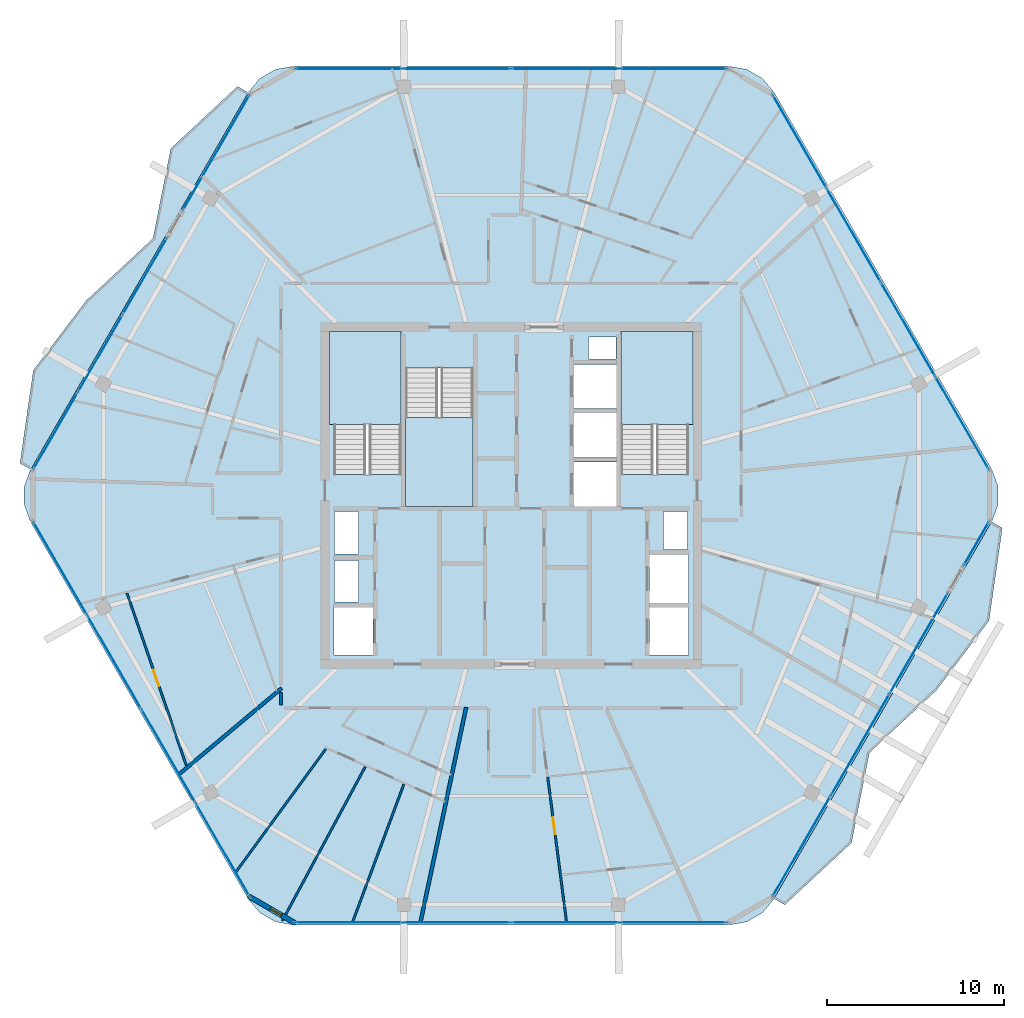
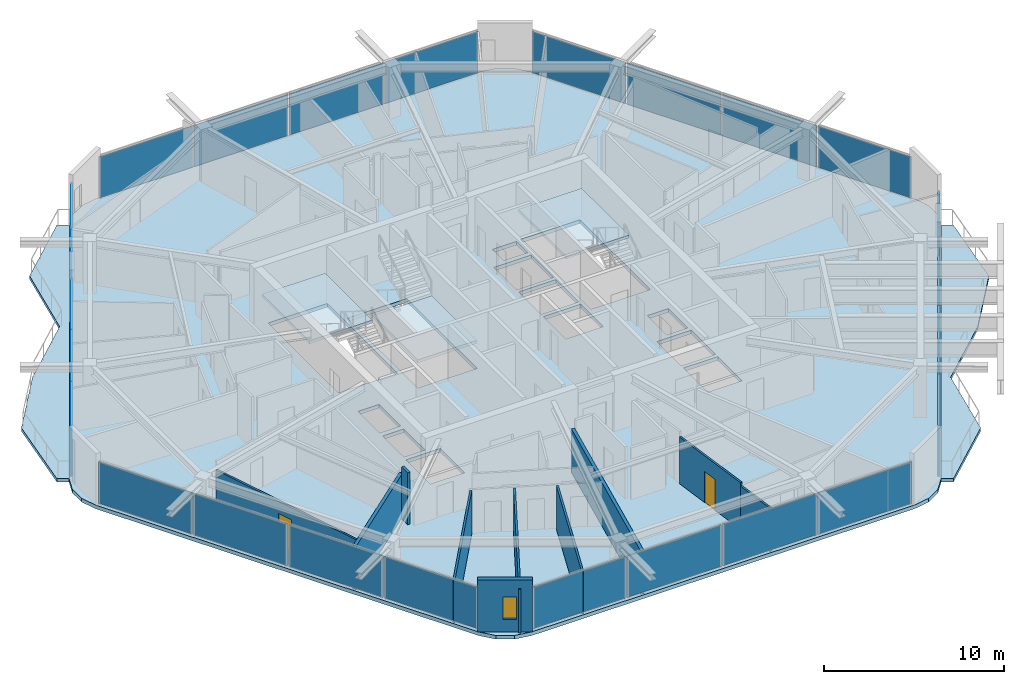
# One storey, part 14 of 23: 24 plates, 10 walls, 6 slabs, 2 doors, 1 window, 3 openings, 11 elements without a shape of their own.
"""IFC4 building model written with IfcOpenShell, lengths in metres."""

from ifc_helpers import new_model, si_unit, direction, frame, frame_2d, origin, origin_2d, place, context, subcontext, project, spatial, polyline, rectangle, outline, extrude, material, layer, layer_set, type_object, element, fill, aggregate, save


model = new_model("IFC4")

# Units and contexts
model_context = context("Model", 3, precision=1e-05, world=origin(), true_north=direction((0.0, 1.0)))
body_context = subcontext(model_context, "Body", "Model", "MODEL_VIEW")
ifc_project = project(units=[si_unit("LENGTHUNIT", "METRE"), si_unit("AREAUNIT", "SQUARE_METRE"), si_unit("VOLUMEUNIT", "CUBIC_METRE"), si_unit("PLANEANGLEUNIT", "RADIAN"), si_unit("MASSUNIT", "GRAM", prefix="KILO")], contexts=[model_context])

# Site, building, storey
site_placement = place(None, origin())
site = spatial("IfcSite", under=ifc_project, at=site_placement, CompositionType="ELEMENT")
building_placement = place(site_placement, origin())
building = spatial("IfcBuilding", under=site, at=building_placement, Name="Zuhravey Tower", CompositionType="ELEMENT")
storey_placement = place(building_placement, frame((0.0, 0.0, 350.0)))
storey = spatial("IfcBuildingStorey", under=building, at=storey_placement, Name="L89", CompositionType="ELEMENT", Elevation=350.0)

# Slabs
ifc_material_1 = material(Name="Concrete C50/60", Category="concrete")
ifc_layer_1 = layer(ifc_material_1, 0.25)
ifc_layer_set_1 = layer_set([ifc_layer_1], Name="Concrete C50/60")
slab_type_1 = type_object("IfcSlabType", Name="Residential Acoustic Slab 250", PredefinedType="FLOOR", material=ifc_layer_set_1)
slab_1_placement = place(storey_placement, frame((0.0, 0.0, -0.25)))
element("IfcSlab", 1, at=slab_1_placement, inside=storey, type_object=slab_type_1, Name="L89 Floor Slab FS25", PredefinedType="FLOOR", context=body_context, shape_type="SweptSolid", body=[
    extrude(outline(polyline([(63.1083984375, 30.52490234375), (63.458740234375, 31.48779296875), (63.458740234375, 32.51220703125), (63.1083984375, 33.47509765625), (50.83154296875, 54.739013671875), (50.173095703125, 55.52392578125), (49.285888671875, 56.0361328125), (48.27685546875, 56.214111328125), (23.72314453125, 56.214111328125), (22.714111328125, 56.0361328125), (21.826904296875, 55.52392578125), (21.16845703125, 54.739013671875), (8.8916015625, 33.47509765625), (8.541259765625, 32.51220703125), (8.541259765625, 31.48779296875), (8.8916015625, 30.52490234375), (21.16845703125, 9.260986328125), (21.826904296875, 8.47607421875), (22.714111328125, 7.9638671875), (23.72314453125, 7.785888671875), (48.27685546875, 7.785888671875), (49.285888671875, 7.9638671875), (50.173095703125, 8.47607421875), (50.83154296875, 9.260986328125), (63.1083984375, 30.52490234375)]), holes=[polyline([(29.800048828125, 33.20068359375), (29.800048828125, 41.0), (26.0, 41.0), (26.0, 33.20068359375), (29.800048828125, 33.20068359375)]), polyline([(46.0, 33.20068359375), (46.0, 41.0), (42.199951171875, 41.0), (42.199951171875, 33.20068359375), (46.0, 33.20068359375)]), polyline([(30.050048828125, 39.199462890625), (30.050048828125, 31.39990234375), (33.85009765625, 31.39990234375), (33.85009765625, 39.199462890625), (30.050048828125, 39.199462890625)]), polyline([(39.550048828125, 31.39990234375), (41.949951171875, 31.39990234375), (41.949951171875, 33.89990234375), (39.550048828125, 33.89990234375), (39.550048828125, 31.39990234375)]), polyline([(39.550048828125, 34.14990234375), (41.949951171875, 34.14990234375), (41.949951171875, 36.64990234375), (39.550048828125, 36.64990234375), (39.550048828125, 34.14990234375)]), polyline([(39.550048828125, 36.89990234375), (41.949951171875, 36.89990234375), (41.949951171875, 39.39990234375), (39.550048828125, 39.39990234375), (39.550048828125, 36.89990234375)]), polyline([(26.0, 23.0), (28.199951171875, 23.0), (28.199951171875, 25.699951171875), (26.0, 25.699951171875), (26.0, 23.0)]), polyline([(43.800048828125, 23.0), (46.0, 23.0), (46.0, 25.699951171875), (43.800048828125, 25.699951171875), (43.800048828125, 23.0)]), polyline([(43.800048828125, 25.949951171875), (46.0, 25.949951171875), (46.0, 28.64990234375), (43.800048828125, 28.64990234375), (43.800048828125, 25.949951171875)]), polyline([(26.050048828125, 26.0), (27.39990234375, 26.0), (27.39990234375, 28.35009765625), (26.050048828125, 28.35009765625), (26.050048828125, 26.0)]), polyline([(26.050048828125, 28.699951171875), (27.39990234375, 28.699951171875), (27.39990234375, 31.10009765625), (26.050048828125, 31.10009765625), (26.050048828125, 28.699951171875)]), polyline([(44.60009765625, 28.949951171875), (45.949951171875, 28.949951171875), (45.949951171875, 31.10009765625), (44.60009765625, 31.10009765625), (44.60009765625, 28.949951171875)]), polyline([(40.35009765625, 39.699951171875), (41.89990234375, 39.699951171875), (41.89990234375, 40.949951171875), (40.35009765625, 40.949951171875), (40.35009765625, 39.699951171875)])]), origin(), (0.0, 0.0, 1.0), 0.25),
])
ifc_material_2 = material(Name="Concrete C40/50", Category="concrete")
ifc_layer_2 = layer(ifc_material_2, 0.219970703125)
ifc_layer_set_2 = layer_set([ifc_layer_2], Name="Concrete C40/50")
slab_type_2 = type_object("IfcSlabType", Name="Sinusoidal Residential Wave Balcony 220", PredefinedType="FLOOR", material=ifc_layer_set_2)
slab_2_placement = place(storey_placement, frame((0.0, 0.0, -0.219970703125)))
element("IfcSlab", 2, at=slab_2_placement, inside=storey, type_object=slab_type_2, Name="L89 Face 6 Wave Balcony WB22", PredefinedType="FLOOR", context=body_context, shape_type="SweptSolid", body=[
    extrude(outline(polyline([(50.822998046875, 9.27587890625), (63.091064453125, 30.52490234375), (63.697265625, 30.175048828125), (62.947021484375, 24.94189453125), (59.959228515625, 21.00048828125), (56.200439453125, 17.50390625), (55.19140625, 12.420166015625), (51.42919921875, 8.92578125), (50.822998046875, 9.27587890625)])), origin(), (0.0, 0.0, 1.0), 0.219970703125),
])
slab_3_placement = place(storey_placement, frame((0.0, 0.0, -0.219970703125)))
element("IfcSlab", 3, at=slab_3_placement, inside=storey, type_object=slab_type_2, Name="L89 Face 3 Wave Balcony WB22", PredefinedType="FLOOR", context=body_context, shape_type="SweptSolid", body=[
    extrude(outline(polyline([(21.177001953125, 54.72412109375), (8.908935546875, 33.47509765625), (8.302734375, 33.824951171875), (9.052978515625, 39.05810546875), (12.040771484375, 42.99951171875), (15.799560546875, 46.49609375), (16.80859375, 51.579833984375), (20.57080078125, 55.07421875), (21.177001953125, 54.72412109375)])), origin(), (0.0, 0.0, 1.0), 0.219970703125),
])

# Stair, slab
stair_type = type_object("IfcStairType", Name="Housing Storey Stair Assembly 3800", PredefinedType="HALF_TURN_STAIR", material=ifc_material_2)
stair_1_placement = place(storey_placement, origin())
stair_1 = element("IfcStair", 4, at=stair_1_placement, inside=storey, type_object=stair_type, Name="L89 Core Exit Stair ST1", PredefinedType="HALF_TURN_STAIR")
ifc_layer_3 = layer(ifc_material_2, 0.199951171875)
ifc_layer_set_3 = layer_set([ifc_layer_3], Name="Concrete C40/50")
slab_type_3 = type_object("IfcSlabType", Name="Stair Landing Slab 200", PredefinedType="LANDING", material=ifc_layer_set_3)
slab_4_placement = place(storey_placement, frame((0.0, 0.0, 1.699951171875)))
slab_4 = element("IfcSlab", 5, at=slab_4_placement, type_object=slab_type_3, Name="ST1 landing 1", PredefinedType="LANDING", context=body_context, shape_type="SweptSolid", body=[
    extrude(outline(polyline([(29.800048828125, 36.0), (29.800048828125, 41.248046875), (25.751953125, 41.248046875), (25.751953125, 36.0), (29.800048828125, 36.0)])), origin(), (0.0, 0.0, 1.0), 0.199951171875),
])
aggregate(stair_1, [slab_4])

stair_2_placement = place(storey_placement, origin())
stair_2 = element("IfcStair", 6, at=stair_2_placement, inside=storey, type_object=stair_type, Name="L89 Core Exit Stair ST2", PredefinedType="HALF_TURN_STAIR")
slab_5_placement = place(storey_placement, frame((0.0, 0.0, 1.699951171875)))
slab_5 = element("IfcSlab", 7, at=slab_5_placement, type_object=slab_type_3, Name="ST2 landing 1", PredefinedType="LANDING", context=body_context, shape_type="SweptSolid", body=[
    extrude(outline(polyline([(46.248046875, 36.0), (46.248046875, 41.248046875), (42.199951171875, 41.248046875), (42.199951171875, 36.0), (46.248046875, 36.0)])), origin(), (0.0, 0.0, 1.0), 0.199951171875),
])
aggregate(stair_2, [slab_5])

stair_3_placement = place(storey_placement, origin())
stair_3 = element("IfcStair", 8, at=stair_3_placement, inside=storey, type_object=stair_type, Name="L89 Core Exit Stair ST3", PredefinedType="HALF_TURN_STAIR")
slab_6_placement = place(storey_placement, frame((0.0, 0.0, 1.699951171875)))
slab_6 = element("IfcSlab", 9, at=slab_6_placement, type_object=slab_type_3, Name="ST3 landing 1", PredefinedType="LANDING", context=body_context, shape_type="SweptSolid", body=[
    extrude(outline(polyline([(30.050048828125, 36.39990234375), (30.050048828125, 31.39990234375), (33.85009765625, 31.39990234375), (33.85009765625, 36.39990234375), (30.050048828125, 36.39990234375)])), origin(), (0.0, 0.0, 1.0), 0.199951171875),
])
aggregate(stair_3, [slab_6])

# Curtain wall, plate
ifc_material_3 = material(Name="Thermally broken anodised aluminium", Category="aluminium")
curtain_wall_type = type_object("IfcCurtainWallType", Name="Zone 3-4 High-Rise Curtain Wall CW4", PredefinedType="NOTDEFINED", material=ifc_material_3)
curtain_wall_1_placement = place(storey_placement, origin())
curtain_wall_1 = element("IfcCurtainWall", 10, at=curtain_wall_1_placement, inside=storey, type_object=curtain_wall_type, Name="L89 CW4 CW-L89-F6-1", PredefinedType="NOTDEFINED")
ifc_material_4 = material(Name="Triple low-E insulated vision glass", Category="glass")
ifc_layer_4 = layer(ifc_material_4, 0.0419921875)
ifc_layer_set_4 = layer_set([ifc_layer_4], Name="Triple low-E insulated vision glass")
plate_type = type_object("IfcPlateType", Name="Triple Low-E Vision Panel", PredefinedType="CURTAIN_PANEL", material=ifc_layer_set_4)
plate_1_placement = place(storey_placement, frame((62.233154296875, 29.2890625, 0.08984375), z_axis=(0.0, 0.0, 1.0), x_axis=(-0.499986381419, -0.866033266333, 0.0)))
plate_1 = element("IfcPlate", 11, at=plate_1_placement, type_object=plate_type, Name="CW4 panel 1.1", PredefinedType="CURTAIN_PANEL", context=body_context, shape_type="SweptSolid", body=[
    extrude(rectangle(XDim=2.760986328125, YDim=0.0419921875, at=origin_2d()), origin(), (0.0, 0.0, 1.0), 2.239990234375),
])
aggregate(curtain_wall_1, [plate_1])

# Curtain wall, plates
curtain_wall_2_placement = place(storey_placement, origin())
curtain_wall_2 = element("IfcCurtainWall", 12, at=curtain_wall_2_placement, inside=storey, type_object=curtain_wall_type, Name="L89 CW4 CW-L89-F6-2", PredefinedType="NOTDEFINED")
plate_2_placement = place(storey_placement, frame((58.983642578125, 23.66064453125, 0.08984375), z_axis=(0.0, 0.0, 1.0), x_axis=(-0.500000845941, -0.86602491538, 0.0)))
plate_2 = element("IfcPlate", 13, at=plate_2_placement, type_object=plate_type, Name="CW4 panel 1.1", PredefinedType="CURTAIN_PANEL", context=body_context, shape_type="SweptSolid", body=[
    extrude(rectangle(XDim=6.4775390625, YDim=0.0419921875, at=origin_2d()), origin(), (0.0, 0.0, 1.0), 2.239990234375),
])
plate_3_placement = place(storey_placement, frame((55.6884765625, 17.953369140625, 0.08984375), z_axis=(0.0, 0.0, 1.0), x_axis=(-0.500000845941, -0.86602491538, 0.0)))
plate_3 = element("IfcPlate", 14, at=plate_3_placement, type_object=plate_type, Name="CW4 panel 2.1", PredefinedType="CURTAIN_PANEL", context=body_context, shape_type="SweptSolid", body=[
    extrude(rectangle(XDim=6.522705078125, YDim=0.0419921875, at=origin_2d()), origin(), (0.0, 0.0, 1.0), 2.239990234375),
])
plate_4_placement = place(storey_placement, frame((52.3935546875, 12.246337890625, 0.08984375), z_axis=(0.0, 0.0, 1.0), x_axis=(-0.500000845941, -0.86602491538, 0.0)))
plate_4 = element("IfcPlate", 15, at=plate_4_placement, type_object=plate_type, Name="CW4 panel 3.1", PredefinedType="CURTAIN_PANEL", context=body_context, shape_type="SweptSolid", body=[
    extrude(rectangle(XDim=6.4775390625, YDim=0.0419921875, at=origin_2d()), origin(), (0.0, 0.0, 1.0), 2.239990234375),
])
aggregate(curtain_wall_2, [plate_2, plate_3, plate_4])

curtain_wall_3_placement = place(storey_placement, origin())
curtain_wall_3 = element("IfcCurtainWall", 16, at=curtain_wall_3_placement, inside=storey, type_object=curtain_wall_type, Name="L89 CW4 CW-L89-F5-1", PredefinedType="NOTDEFINED")
plate_5_placement = place(storey_placement, frame((45.156982421875, 7.92578125, 0.08984375), z_axis=(0.0, 0.0, 1.0), x_axis=(-1.0, 0.0, 0.0)))
plate_5 = element("IfcPlate", 17, at=plate_5_placement, type_object=plate_type, Name="CW4 panel 1.1", PredefinedType="CURTAIN_PANEL", context=body_context, shape_type="SweptSolid", body=[
    extrude(rectangle(XDim=5.984619140625, YDim=0.0419921875, at=origin_2d()), origin(), (0.0, 0.0, 1.0), 2.806884765625),
])
plate_6_placement = place(storey_placement, frame((39.059814453125, 7.92578125, 0.08984375), z_axis=(0.0, 0.0, 1.0), x_axis=(-1.0, 0.0, 0.0)))
plate_6 = element("IfcPlate", 18, at=plate_6_placement, type_object=plate_type, Name="CW4 panel 2.1", PredefinedType="CURTAIN_PANEL", context=body_context, shape_type="SweptSolid", body=[
    extrude(rectangle(XDim=6.029541015625, YDim=0.0419921875, at=origin_2d()), origin(), (0.0, 0.0, 1.0), 2.806884765625),
])
plate_7_placement = place(storey_placement, frame((32.940185546875, 7.92578125, 0.08984375), z_axis=(0.0, 0.0, 1.0), x_axis=(-1.0, 0.0, 0.0)))
plate_7 = element("IfcPlate", 19, at=plate_7_placement, type_object=plate_type, Name="CW4 panel 3.1", PredefinedType="CURTAIN_PANEL", context=body_context, shape_type="SweptSolid", body=[
    extrude(rectangle(XDim=6.029541015625, YDim=0.0419921875, at=origin_2d()), origin(), (0.0, 0.0, 1.0), 2.806884765625),
])
plate_8_placement = place(storey_placement, frame((26.843017578125, 7.92578125, 0.08984375), z_axis=(0.0, 0.0, 1.0), x_axis=(-1.0, 0.0, 0.0)))
plate_8 = element("IfcPlate", 20, at=plate_8_placement, type_object=plate_type, Name="CW4 panel 4.1", PredefinedType="CURTAIN_PANEL", context=body_context, shape_type="SweptSolid", body=[
    extrude(rectangle(XDim=5.984619140625, YDim=0.0419921875, at=origin_2d()), origin(), (0.0, 0.0, 1.0), 2.806884765625),
])
aggregate(curtain_wall_3, [plate_5, plate_6, plate_7, plate_8])

curtain_wall_4_placement = place(storey_placement, origin())
curtain_wall_4 = element("IfcCurtainWall", 21, at=curtain_wall_4_placement, inside=storey, type_object=curtain_wall_type, Name="L89 CW4 CW-L89-F4-1", PredefinedType="NOTDEFINED")
plate_9_placement = place(storey_placement, frame((19.729736328125, 12.03271484375, 0.08984375), z_axis=(0.0, 0.0, 1.0), x_axis=(-0.49999981336, 0.866025511541, 0.0)))
plate_9 = element("IfcPlate", 22, at=plate_9_placement, type_object=plate_type, Name="CW4 panel 1.1", PredefinedType="CURTAIN_PANEL", context=body_context, shape_type="SweptSolid", body=[
    extrude(rectangle(XDim=5.984619140625, YDim=0.0419921875, at=origin_2d()), origin(), (0.0, 0.0, 1.0), 2.806884765625),
])
plate_10_placement = place(storey_placement, frame((16.68115234375, 17.31298828125, 0.08984375), z_axis=(0.0, 0.0, 1.0), x_axis=(-0.49999981336, 0.866025511541, 0.0)))
plate_10 = element("IfcPlate", 23, at=plate_10_placement, type_object=plate_type, Name="CW4 panel 2.1", PredefinedType="CURTAIN_PANEL", context=body_context, shape_type="SweptSolid", body=[
    extrude(rectangle(XDim=6.029541015625, YDim=0.0419921875, at=origin_2d()), origin(), (0.0, 0.0, 1.0), 2.806884765625),
])
plate_11_placement = place(storey_placement, frame((13.621337890625, 22.61279296875, 0.08984375), z_axis=(0.0, 0.0, 1.0), x_axis=(-0.49999981336, 0.866025511541, 0.0)))
plate_11 = element("IfcPlate", 24, at=plate_11_placement, type_object=plate_type, Name="CW4 panel 3.1", PredefinedType="CURTAIN_PANEL", context=body_context, shape_type="SweptSolid", body=[
    extrude(rectangle(XDim=6.029541015625, YDim=0.0419921875, at=origin_2d()), origin(), (0.0, 0.0, 1.0), 2.806884765625),
])
plate_12_placement = place(storey_placement, frame((10.57275390625, 27.89306640625, 0.08984375), z_axis=(0.0, 0.0, 1.0), x_axis=(-0.49999981336, 0.866025511541, 0.0)))
plate_12 = element("IfcPlate", 25, at=plate_12_placement, type_object=plate_type, Name="CW4 panel 4.1", PredefinedType="CURTAIN_PANEL", context=body_context, shape_type="SweptSolid", body=[
    extrude(rectangle(XDim=5.984619140625, YDim=0.0419921875, at=origin_2d()), origin(), (0.0, 0.0, 1.0), 2.806884765625),
])
aggregate(curtain_wall_4, [plate_9, plate_10, plate_11, plate_12])

curtain_wall_5_placement = place(storey_placement, origin())
curtain_wall_5 = element("IfcCurtainWall", 26, at=curtain_wall_5_placement, inside=storey, type_object=curtain_wall_type, Name="L89 CW4 CW-L89-F3-1", PredefinedType="NOTDEFINED")
plate_13_placement = place(storey_placement, frame((10.3076171875, 35.647705078125, 0.08984375), z_axis=(0.0, 0.0, 1.0), x_axis=(0.49999830981, 0.866026379614, 0.0)))
plate_13 = element("IfcPlate", 27, at=plate_13_placement, type_object=plate_type, Name="CW4 panel 1.1", PredefinedType="CURTAIN_PANEL", context=body_context, shape_type="SweptSolid", body=[
    extrude(rectangle(XDim=4.924072265625, YDim=0.0419921875, at=origin_2d()), origin(), (0.0, 0.0, 1.0), 2.806884765625),
])
plate_14_placement = place(storey_placement, frame((12.825927734375, 40.009521484375, 0.08984375), z_axis=(0.0, 0.0, 1.0), x_axis=(0.49999830981, 0.866026379614, 0.0)))
plate_14 = element("IfcPlate", 28, at=plate_14_placement, type_object=plate_type, Name="CW4 panel 2.1", PredefinedType="CURTAIN_PANEL", context=body_context, shape_type="SweptSolid", body=[
    extrude(rectangle(XDim=4.968994140625, YDim=0.0419921875, at=origin_2d()), origin(), (0.0, 0.0, 1.0), 2.806884765625),
])
plate_15_placement = place(storey_placement, frame((15.34423828125, 44.371337890625, 0.08984375), z_axis=(0.0, 0.0, 1.0), x_axis=(0.49999830981, 0.866026379614, 0.0)))
plate_15 = element("IfcPlate", 29, at=plate_15_placement, type_object=plate_type, Name="CW4 panel 3.1", PredefinedType="CURTAIN_PANEL", context=body_context, shape_type="SweptSolid", body=[
    extrude(rectangle(XDim=4.924072265625, YDim=0.0419921875, at=origin_2d()), origin(), (0.0, 0.0, 1.0), 2.806884765625),
])
aggregate(curtain_wall_5, [plate_13, plate_14, plate_15])

# Curtain wall, plate
curtain_wall_6_placement = place(storey_placement, origin())
curtain_wall_6 = element("IfcCurtainWall", 30, at=curtain_wall_6_placement, inside=storey, type_object=curtain_wall_type, Name="L89 CW4 CW-L89-F3-2", PredefinedType="NOTDEFINED")
plate_16_placement = place(storey_placement, frame((19.37060546875, 51.34521484375, 0.08984375), z_axis=(0.0, 0.0, 1.0), x_axis=(0.500006010103, 0.866021933822, 0.0)))
plate_16 = element("IfcPlate", 31, at=plate_16_placement, type_object=plate_type, Name="CW4 panel 1.1", PredefinedType="CURTAIN_PANEL", context=body_context, shape_type="SweptSolid", body=[
    extrude(rectangle(XDim=7.42138671875, YDim=0.0419921875, at=origin_2d()), origin(), (0.0, 0.0, 1.0), 2.806884765625),
])
aggregate(curtain_wall_6, [plate_16])

# Curtain wall, plates
curtain_wall_7_placement = place(storey_placement, origin())
curtain_wall_7 = element("IfcCurtainWall", 32, at=curtain_wall_7_placement, inside=storey, type_object=curtain_wall_type, Name="L89 CW4 CW-L89-F2-1", PredefinedType="NOTDEFINED")
plate_17_placement = place(storey_placement, frame((26.843017578125, 56.07421875, 0.08984375), z_axis=(0.0, 0.0, 1.0), x_axis=(1.0, 0.0, 0.0)))
plate_17 = element("IfcPlate", 33, at=plate_17_placement, type_object=plate_type, Name="CW4 panel 1.1", PredefinedType="CURTAIN_PANEL", context=body_context, shape_type="SweptSolid", body=[
    extrude(rectangle(XDim=5.984619140625, YDim=0.0419921875, at=origin_2d()), origin(), (0.0, 0.0, 1.0), 2.806884765625),
])
plate_18_placement = place(storey_placement, frame((32.940185546875, 56.07421875, 0.08984375), z_axis=(0.0, 0.0, 1.0), x_axis=(1.0, 0.0, 0.0)))
plate_18 = element("IfcPlate", 34, at=plate_18_placement, type_object=plate_type, Name="CW4 panel 2.1", PredefinedType="CURTAIN_PANEL", context=body_context, shape_type="SweptSolid", body=[
    extrude(rectangle(XDim=6.029541015625, YDim=0.0419921875, at=origin_2d()), origin(), (0.0, 0.0, 1.0), 2.806884765625),
])
plate_19_placement = place(storey_placement, frame((39.059814453125, 56.07421875, 0.08984375), z_axis=(0.0, 0.0, 1.0), x_axis=(1.0, 0.0, 0.0)))
plate_19 = element("IfcPlate", 35, at=plate_19_placement, type_object=plate_type, Name="CW4 panel 3.1", PredefinedType="CURTAIN_PANEL", context=body_context, shape_type="SweptSolid", body=[
    extrude(rectangle(XDim=6.029541015625, YDim=0.0419921875, at=origin_2d()), origin(), (0.0, 0.0, 1.0), 2.806884765625),
])
plate_20_placement = place(storey_placement, frame((45.156982421875, 56.07421875, 0.08984375), z_axis=(0.0, 0.0, 1.0), x_axis=(1.0, 0.0, 0.0)))
plate_20 = element("IfcPlate", 36, at=plate_20_placement, type_object=plate_type, Name="CW4 panel 4.1", PredefinedType="CURTAIN_PANEL", context=body_context, shape_type="SweptSolid", body=[
    extrude(rectangle(XDim=5.984619140625, YDim=0.0419921875, at=origin_2d()), origin(), (0.0, 0.0, 1.0), 2.806884765625),
])
aggregate(curtain_wall_7, [plate_17, plate_18, plate_19, plate_20])

curtain_wall_8_placement = place(storey_placement, origin())
curtain_wall_8 = element("IfcCurtainWall", 37, at=curtain_wall_8_placement, inside=storey, type_object=curtain_wall_type, Name="L89 CW4 CW-L89-F1-1", PredefinedType="NOTDEFINED")
plate_21_placement = place(storey_placement, frame((52.270263671875, 51.96728515625, 0.08984375), z_axis=(0.0, 0.0, 1.0), x_axis=(0.49999981336, -0.866025511541, 0.0)))
plate_21 = element("IfcPlate", 38, at=plate_21_placement, type_object=plate_type, Name="CW4 panel 1.1", PredefinedType="CURTAIN_PANEL", context=body_context, shape_type="SweptSolid", body=[
    extrude(rectangle(XDim=5.984619140625, YDim=0.0419921875, at=origin_2d()), origin(), (0.0, 0.0, 1.0), 2.806884765625),
])
plate_22_placement = place(storey_placement, frame((55.31884765625, 46.68701171875, 0.08984375), z_axis=(0.0, 0.0, 1.0), x_axis=(0.49999981336, -0.866025511541, 0.0)))
plate_22 = element("IfcPlate", 39, at=plate_22_placement, type_object=plate_type, Name="CW4 panel 2.1", PredefinedType="CURTAIN_PANEL", context=body_context, shape_type="SweptSolid", body=[
    extrude(rectangle(XDim=6.029541015625, YDim=0.0419921875, at=origin_2d()), origin(), (0.0, 0.0, 1.0), 2.806884765625),
])
plate_23_placement = place(storey_placement, frame((58.378662109375, 41.38720703125, 0.08984375), z_axis=(0.0, 0.0, 1.0), x_axis=(0.49999981336, -0.866025511541, 0.0)))
plate_23 = element("IfcPlate", 40, at=plate_23_placement, type_object=plate_type, Name="CW4 panel 3.1", PredefinedType="CURTAIN_PANEL", context=body_context, shape_type="SweptSolid", body=[
    extrude(rectangle(XDim=6.029541015625, YDim=0.0419921875, at=origin_2d()), origin(), (0.0, 0.0, 1.0), 2.806884765625),
])
plate_24_placement = place(storey_placement, frame((61.42724609375, 36.10693359375, 0.08984375), z_axis=(0.0, 0.0, 1.0), x_axis=(0.49999981336, -0.866025511541, 0.0)))
plate_24 = element("IfcPlate", 41, at=plate_24_placement, type_object=plate_type, Name="CW4 panel 4.1", PredefinedType="CURTAIN_PANEL", context=body_context, shape_type="SweptSolid", body=[
    extrude(rectangle(XDim=5.984619140625, YDim=0.0419921875, at=origin_2d()), origin(), (0.0, 0.0, 1.0), 2.806884765625),
])
aggregate(curtain_wall_8, [plate_21, plate_22, plate_23, plate_24])

# Wall
ifc_material_5 = material(Name="Gypsum fire-rated stud partition")
ifc_layer_5 = layer(ifc_material_5, 0.159912109375)
ifc_layer_set_5 = layer_set([ifc_layer_5], Name="Gypsum fire-rated stud partition")
wall_type_1 = type_object("IfcWallType", Name="Corridor Fire Partition 160", PredefinedType="PARTITIONING", material=ifc_layer_set_5)
wall_1_placement = place(storey_placement, frame((23.02001953125, 20.8876953125, 0.0), z_axis=(0.0, 0.0, 1.0), x_axis=(0.0, -1.0, 0.0)))
element("IfcWall", 42, at=wall_1_placement, inside=storey, type_object=wall_type_1, Name="L89 IW16 Partition 116", PredefinedType="PARTITIONING", context=body_context, shape_type="SweptSolid", body=[
    extrude(rectangle(XDim=0.68701171875, YDim=0.159912109375, at=frame_2d((0.343505859375, 0.0))), origin(), (0.0, 0.0, 1.0), 3.52001953125),
])

# Wall, opening, window
ifc_material_6 = material(Name="Precast concrete C40/50", Category="concrete")
ifc_layer_6 = layer(ifc_material_6, 0.280029296875)
ifc_layer_set_6 = layer_set([ifc_layer_6], Name="Precast concrete C40/50")
wall_type_2 = type_object("IfcWallType", Name="Crown Architectural Wall 280", PredefinedType="SOLIDWALL", material=ifc_layer_set_6)
wall_2_placement = place(storey_placement, frame((23.843017578125, 7.87841796875, 0.0), z_axis=(0.0, 0.0, 1.0), x_axis=(-0.866023752521, 0.50000286006, 0.0)))
wall_2 = element("IfcWall", 43, at=wall_2_placement, inside=storey, type_object=wall_type_2, Name="L89 Rounded Corner Closure Wall EW28-04", PredefinedType="SOLIDWALL", context=body_context, shape_type="SweptSolid", body=[
    extrude(rectangle(XDim=3.06494140625, YDim=0.280029296875, at=frame_2d((1.532470703125, 0.0))), origin(), (0.0, 0.0, 1.0), 3.52001953125),
])
opening_1_placement = place(wall_2_placement, frame((0.900634765625, 0.0, 0.85009765625)))
opening_1 = element("IfcOpeningElement", 44, at=opening_1_placement, cuts=wall_2, Name="Opening WN5", PredefinedType="OPENING", context=body_context, shape_type="SweptSolid", body=[
    extrude(rectangle(XDim=0.75, YDim=1.5, at=frame_2d((0.375, 0.75))), frame((0.0, 0.152099609375, 0.0), z_axis=(0.0, -1.0, 0.0), x_axis=(1.0, 0.0, 0.0)), (0.0, 0.0, 1.0), 0.303955078125),
])
ifc_material_7 = material(Name="Thermally broken aluminium and triple low-E glass", Category="aluminium")
window_type = type_object("IfcWindowType", Name="Residential Corner Casement Window 750x1500", PartitioningType="SINGLE_PANEL", PredefinedType="WINDOW", material=ifc_material_7)
window_placement = place(opening_1_placement, origin())
window = element("IfcWindow", 45, at=window_placement, inside=storey, type_object=window_type, Name="L89 Corner Casement Window WN5-04.1", OverallHeight=1.5, OverallWidth=0.75, PartitioningType="SINGLE_PANEL", PredefinedType="WINDOW", context=body_context, shape_type="SweptSolid", body=[
    extrude(rectangle(XDim=0.75, YDim=1.5, at=frame_2d((0.375, 0.75))), frame((0.0, 0.030029296875, 0.0), z_axis=(0.0, -1.0, 0.0), x_axis=(1.0, 0.0, 0.0)), (0.0, 0.0, 1.0), 0.06005859375),
])
fill(opening_1, window)

# Walls
ifc_material_8 = material(Name="Gypsum double-stud party assembly")
ifc_layer_7 = layer(ifc_material_8, 0.199951171875)
ifc_layer_set_7 = layer_set([ifc_layer_7], Name="Gypsum double-stud party assembly")
wall_type_3 = type_object("IfcWallType", Name="Inter-Tenancy Party Wall 200", PredefinedType="PARTITIONING", material=ifc_layer_set_7)
wall_3_placement = place(storey_placement, frame((23.06005859375, 21.14208984375, 0.0), z_axis=(0.0, 0.0, 1.0), x_axis=(-0.766052406388, -0.642778119313, 0.0)))
element("IfcWall", 46, at=wall_3_placement, inside=storey, type_object=wall_type_3, Name="L89 IW20 Partition 080", PredefinedType="PARTITIONING", context=body_context, shape_type="SweptSolid", body=[
    extrude(rectangle(XDim=7.553466796875, YDim=0.199951171875, at=frame_2d((3.77685546875, 0.0))), origin(), (0.0, 0.0, 1.0), 2.93994140625),
])
wall_4_placement = place(storey_placement, frame((33.462158203125, 20.06005859375, 0.0), z_axis=(0.0, 0.0, 1.0), x_axis=(-0.207921364867, -0.978145544401, 0.0)))
element("IfcWall", 47, at=wall_4_placement, inside=storey, type_object=wall_type_3, Name="L89 IW20 Partition 086", PredefinedType="PARTITIONING", context=body_context, shape_type="SweptSolid", body=[
    extrude(rectangle(XDim=12.4052734375, YDim=0.199951171875, at=frame_2d((6.20263671875, 0.0))), origin(), (0.0, 0.0, 1.0), 2.93994140625),
])

# Wall, opening, door
ifc_material_9 = material(Name="Gypsum metal-stud partition")
ifc_layer_8 = layer(ifc_material_9, 0.1201171875)
ifc_layer_set_8 = layer_set([ifc_layer_8], Name="Gypsum metal-stud partition")
wall_type_4 = type_object("IfcWallType", Name="Unit Internal Partition 120", PredefinedType="PARTITIONING", material=ifc_layer_set_8)
wall_5_placement = place(storey_placement, frame((14.337158203125, 26.49658203125, 0.0), z_axis=(0.0, 0.0, 1.0), x_axis=(0.325570697436, -0.945517699978, 0.0)))
wall_5 = element("IfcWall", 48, at=wall_5_placement, inside=storey, type_object=wall_type_4, Name="L89 IW12 Partition 032", PredefinedType="PARTITIONING", context=body_context, shape_type="SweptSolid", body=[
    extrude(rectangle(XDim=10.283935546875, YDim=0.1201171875, at=frame_2d((5.14208984375, 0.0))), origin(), (0.0, 0.0, 1.0), 2.93994140625),
])
opening_2_placement = place(wall_5_placement, frame((4.58251953125, 0.0, 0.0)))
opening_2 = element("IfcOpeningElement", 49, at=opening_2_placement, cuts=wall_5, Name="Opening IND1", PredefinedType="OPENING", context=body_context, shape_type="SweptSolid", body=[
    extrude(rectangle(XDim=0.949951171875, YDim=2.10009765625, at=frame_2d((0.47509765625, 1.050048828125))), frame((0.0, 0.072021484375, 0.0), z_axis=(0.0, -1.0, 0.0), x_axis=(1.0, 0.0, 0.0)), (0.0, 0.0, 1.0), 0.14404296875),
])
ifc_material_10 = material(Name="Painted engineered timber leaf", Category="wood")
door_type = type_object("IfcDoorType", Name="Internal Room & Bedroom Door 950x2100", OperationType="NOTDEFINED", PredefinedType="DOOR", material=ifc_material_10)
door_1_placement = place(opening_2_placement, frame((0.949951171875, 0.0, 0.0), z_axis=(0.0, 0.0, 1.0), x_axis=(-1.0, 0.0, 0.0)))
door_1 = element("IfcDoor", 50, at=door_1_placement, inside=storey, type_object=door_type, Name="Apartment L89-04 Bedroom 1 Door", OperationType="SINGLE_SWING_LEFT", OverallHeight=2.10009765625, OverallWidth=0.949951171875, PredefinedType="DOOR", context=body_context, shape_type="SweptSolid", body=[
    extrude(rectangle(XDim=0.949951171875, YDim=2.10009765625, at=frame_2d((0.47509765625, 1.050048828125))), frame((0.0, 0.02490234375, 0.0), z_axis=(0.0, -1.0, 0.0), x_axis=(1.0, 0.0, 0.0)), (0.0, 0.0, 1.0), 0.050048828125),
])
fill(opening_2, door_1)

wall_6_placement = place(storey_placement, frame((38.061767578125, 16.12451171875, 0.0), z_axis=(0.0, 0.0, 1.0), x_axis=(0.12882372942, -0.991667508159, 0.0)))
wall_6 = element("IfcWall", 51, at=wall_6_placement, inside=storey, type_object=wall_type_4, Name="L89 IW12 Partition 038", PredefinedType="PARTITIONING", context=body_context, shape_type="SweptSolid", body=[
    extrude(rectangle(XDim=5.5888671875, YDim=0.1201171875, at=frame_2d((2.79443359375, 0.0))), origin(), (0.0, 0.0, 1.0), 3.169921875),
])
opening_3_placement = place(wall_6_placement, frame((2.29443359375, 0.0, 0.0)))
opening_3 = element("IfcOpeningElement", 52, at=opening_3_placement, cuts=wall_6, Name="Opening IND1", PredefinedType="OPENING", context=body_context, shape_type="SweptSolid", body=[
    extrude(rectangle(XDim=0.949951171875, YDim=2.10009765625, at=frame_2d((0.47509765625, 1.050048828125))), frame((0.0, 0.072021484375, 0.0), z_axis=(0.0, -1.0, 0.0), x_axis=(1.0, 0.0, 0.0)), (0.0, 0.0, 1.0), 0.14404296875),
])
door_2_placement = place(opening_3_placement, origin())
door_2 = element("IfcDoor", 53, at=door_2_placement, inside=storey, type_object=door_type, Name="Apartment L89-06 Home Office Door", OperationType="SINGLE_SWING_RIGHT", OverallHeight=2.10009765625, OverallWidth=0.949951171875, PredefinedType="DOOR", context=body_context, shape_type="SweptSolid", body=[
    extrude(rectangle(XDim=0.949951171875, YDim=2.10009765625, at=frame_2d((0.47509765625, 1.050048828125))), frame((0.0, 0.02490234375, 0.0), z_axis=(0.0, -1.0, 0.0), x_axis=(1.0, 0.0, 0.0)), (0.0, 0.0, 1.0), 0.050048828125),
])
fill(opening_3, door_2)

# Walls
wall_7_placement = place(storey_placement, frame((27.769287109375, 16.705078125, 0.0), z_axis=(0.0, 0.0, 1.0), x_axis=(-0.473888532378, -0.880584839116, 0.0)))
element("IfcWall", 54, at=wall_7_placement, inside=storey, type_object=wall_type_4, Name="L89 IW12 Partition 082", PredefinedType="PARTITIONING", context=body_context, shape_type="SweptSolid", body=[
    extrude(rectangle(XDim=9.85400390625, YDim=0.1201171875, at=frame_2d((4.927001953125, 0.0))), origin(), (0.0, 0.0, 1.0), 2.93994140625),
])
wall_8_placement = place(storey_placement, frame((29.947509765625, 15.7197265625, 0.0), z_axis=(0.0, 0.0, 1.0), x_axis=(-0.34846114111, -0.937323227673, 0.0)))
element("IfcWall", 55, at=wall_8_placement, inside=storey, type_object=wall_type_4, Name="L89 IW12 Partition 083", PredefinedType="PARTITIONING", context=body_context, shape_type="SweptSolid", body=[
    extrude(rectangle(XDim=8.325439453125, YDim=0.1201171875, at=frame_2d((4.16259765625, 0.0))), origin(), (0.0, 0.0, 1.0), 2.93994140625),
])
wall_9_placement = place(storey_placement, frame((25.548583984375, 17.709716796875, 0.0), z_axis=(0.0, 0.0, 1.0), x_axis=(-0.59031116807, -0.807175770729, 0.0)))
element("IfcWall", 56, at=wall_9_placement, inside=storey, type_object=wall_type_4, Name="L89 IW12 Partition 085", PredefinedType="PARTITIONING", context=body_context, shape_type="SweptSolid", body=[
    extrude(rectangle(XDim=8.622314453125, YDim=0.1201171875, at=frame_2d((4.31103515625, 0.0))), origin(), (0.0, 0.0, 1.0), 2.93994140625),
])
wall_10_placement = place(storey_placement, frame((38.781494140625, 10.582275390625, 0.0), z_axis=(0.0, 0.0, 1.0), x_axis=(0.12881414138, -0.991668753658, 0.0)))
element("IfcWall", 57, at=wall_10_placement, inside=storey, type_object=wall_type_4, Name="L89 IW12 Partition 088", PredefinedType="PARTITIONING", context=body_context, shape_type="SweptSolid", body=[
    extrude(rectangle(XDim=2.683837890625, YDim=0.1201171875, at=frame_2d((1.341796875, 0.0))), origin(), (0.0, 0.0, 1.0), 2.93994140625),
])

save(model, "model.ifc")
